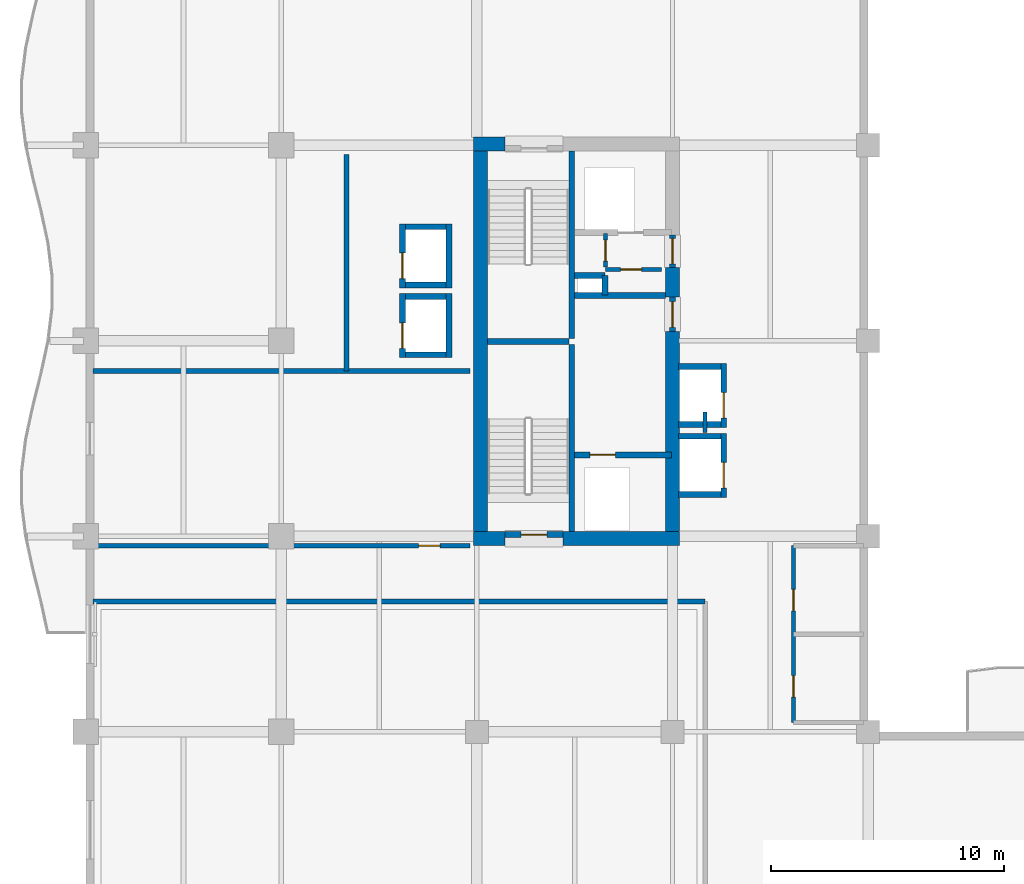
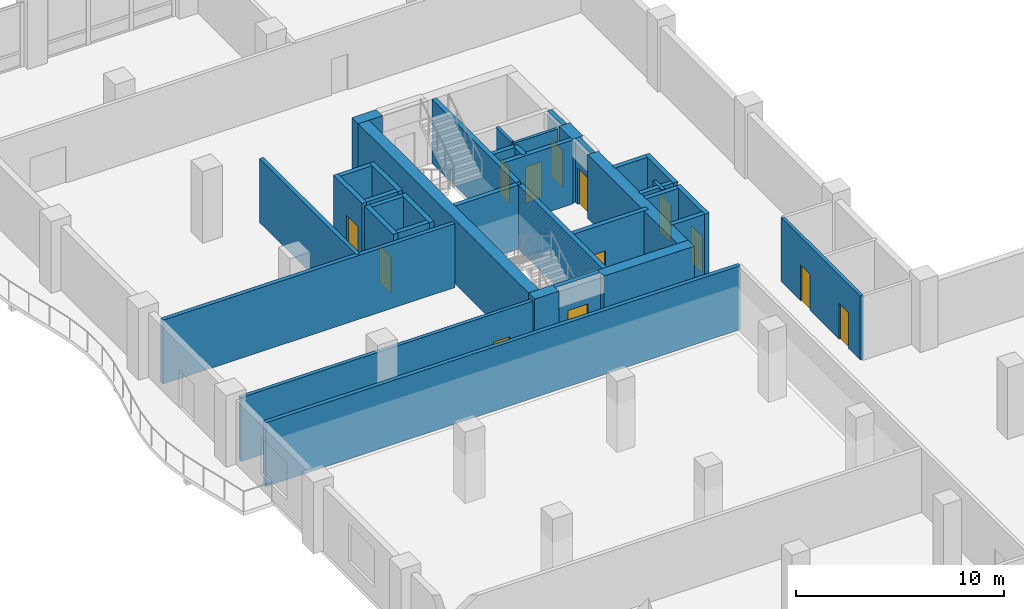
# One storey, part 13 of 21: 38 walls, 13 doors, 13 openings.
"""IFC4 building model written with IfcOpenShell, lengths in metres."""

import ifcopenshell
import ifcopenshell.guid

model = None  # the IFC model being written
_history = None  # IfcOwnerHistory: only IFC2X3 demands one
_inside = {}  # id of a spatial element -> (the spatial element, [elements in it])
_under = {}  # id of a project, library or spatial element -> (it, [spatial elements below it])
_declared = {}  # id of a project -> (the project, [libraries it declares])
_typed = {}  # id of a type object -> (the type object, [elements of that type])
_made_of = {}  # id of a material, layer set ... -> (it, [elements and type objects made of it])


def new_model(schema):
    """Start an empty IFC model of exactly this schema.

    Asked for "IFC4X3", IfcOpenShell would pick the latest addendum, in which some entities
    have other attributes; the version numbers below select the first issue.
    IFC2X3 requires an IfcOwnerHistory on every rooted entity: one is made here for all.
    """
    global model, _history
    if schema == "IFC4X3":
        model = ifcopenshell.file(schema_version=(4, 3, 0, 0))
    else:
        model = ifcopenshell.file(schema=schema)
    _inside.clear()
    _under.clear()
    _declared.clear()
    _typed.clear()
    _made_of.clear()
    _history = None
    if model.schema == "IFC2X3":
        org = make("IfcOrganization", Name="unknown")
        user = make(
            "IfcPersonAndOrganization",
            ThePerson=make("IfcPerson", FamilyName="unknown"),
            TheOrganization=org,
        )
        app = make(
            "IfcApplication",
            ApplicationDeveloper=org,
            Version="unknown",
            ApplicationFullName="unknown",
            ApplicationIdentifier="unknown",
        )
        _history = make(
            "IfcOwnerHistory",
            OwningUser=user,
            OwningApplication=app,
            ChangeAction="ADDED",
            CreationDate=0,
        )
    return model


def make(cls, **values):
    """One entity of the class cls with the attributes given. An attribute that is None is left unset."""
    return model.create_entity(
        cls, **{name: value for name, value in values.items() if value is not None}
    )


def rooted(cls, **values):
    """An entity with a GlobalId (a new one), such as an element, a storey or a relation."""
    return make(cls, GlobalId=ifcopenshell.guid.new(), OwnerHistory=_history, **values)


def si_unit(unit_type, name, prefix=None):
    """IfcSIUnit, for example si_unit("LENGTHUNIT", "METRE", prefix="MILLI")."""
    return make("IfcSIUnit", UnitType=unit_type, Prefix=prefix, Name=name)


def assignment(units):
    """IfcUnitAssignment: the units of a project."""
    return None if units is None else make("IfcUnitAssignment", Units=units)


def point(xyz):
    """IfcCartesianPoint."""
    return None if xyz is None else make("IfcCartesianPoint", Coordinates=xyz)


def direction(xyz):
    """IfcDirection."""
    return None if xyz is None else make("IfcDirection", DirectionRatios=xyz)


def frame(location, z_axis=None, x_axis=None):
    """IfcAxis2Placement3D, a coordinate frame: its origin and axes. An axis left out is left unset."""
    return make(
        "IfcAxis2Placement3D",
        Location=point(location),
        Axis=direction(z_axis),
        RefDirection=direction(x_axis),
    )


def frame_2d(location, x_axis=None):
    """IfcAxis2Placement2D, a coordinate frame in the plane: its origin and x axis."""
    return make(
        "IfcAxis2Placement2D", Location=point(location), RefDirection=direction(x_axis)
    )


def origin():
    """The frame at (0, 0, 0) with its axes left unset."""
    return frame((0.0, 0.0, 0.0))


def place(relative_to, where):
    """IfcLocalPlacement: puts the frame where relative to a parent placement (None: the world)."""
    return make(
        "IfcLocalPlacement", PlacementRelTo=relative_to, RelativePlacement=where
    )


def context(
    kind, dimensions, precision=None, world=None, true_north=None, identifier=None
):
    """IfcGeometricRepresentationContext, for example the 3D "Model" context."""
    return make(
        "IfcGeometricRepresentationContext",
        ContextIdentifier=identifier,
        ContextType=kind,
        CoordinateSpaceDimension=dimensions,
        Precision=precision,
        WorldCoordinateSystem=world,
        TrueNorth=true_north,
    )


def subcontext(parent, identifier, kind, view, scale=None):
    """IfcGeometricRepresentationSubContext, for example "Body" below "Model"."""
    return make(
        "IfcGeometricRepresentationSubContext",
        ContextIdentifier=identifier,
        ContextType=kind,
        ParentContext=parent,
        TargetScale=scale,
        TargetView=view,
    )


def project(units=None, contexts=None):
    """IfcProject with its units and contexts."""
    return rooted(
        "IfcProject",
        Name="project",
        RepresentationContexts=contexts,
        UnitsInContext=assignment(units),
    )


def spatial(cls, under=None, at=None, **own):
    """A site, building, storey or space (cls), placed at a placement, below another one or the project."""
    s = rooted(cls, ObjectPlacement=at, **own)
    if under is not None:
        _under.setdefault(under.id(), (under, []))[1].append(s)
    return s


def profile(cls, at=None, kind="AREA", **sizes):
    """A parametric profile (cls). Its sizes go by their IFC names, for example OverallWidth=200.0."""
    return make(cls, ProfileType=kind, Position=at, **sizes)


def rectangle(**sizes):
    """IfcRectangleProfileDef."""
    return profile("IfcRectangleProfileDef", **sizes)


def extrude(swept, where, along, depth):
    """IfcExtrudedAreaSolid: the profile swept, set in the frame where, extruded along a direction by depth."""
    return make(
        "IfcExtrudedAreaSolid",
        SweptArea=swept,
        Position=where,
        ExtrudedDirection=direction(along),
        Depth=depth,
    )


def shape(context_of_items, identifier, shape_type, items):
    """IfcShapeRepresentation: the items that make up one representation, for example the "Body"."""
    return make(
        "IfcShapeRepresentation",
        ContextOfItems=context_of_items,
        RepresentationIdentifier=identifier,
        RepresentationType=shape_type,
        Items=items,
    )


def material(Name=None, Category=None):
    """IfcMaterial."""
    return make("IfcMaterial", Name=Name, Category=Category)


def layer(
    of_material, thickness, ventilated=None, Name=None, Category=None, Priority=None
):
    """IfcMaterialLayer: one layer of a wall or slab, of a material (None: an air gap)."""
    return make(
        "IfcMaterialLayer",
        Material=of_material,
        LayerThickness=thickness,
        IsVentilated=ventilated,
        Name=Name,
        Category=Category,
        Priority=Priority,
    )


def layer_set(layers, Name=None):
    """IfcMaterialLayerSet."""
    return make("IfcMaterialLayerSet", MaterialLayers=layers, LayerSetName=Name)


def made_of(thing, what):
    """Note that an element or type object is made of a material, layer set ...; save() writes the relation."""
    if what is not None:
        _made_of.setdefault(what.id(), (what, []))[1].append(thing)
    return thing


def type_object(cls, material=None, **own):
    """A type object (cls), such as IfcWallType, which elements share."""
    return made_of(rooted(cls, **own), material)


def element(
    cls,
    number,
    at=None,
    inside=None,
    cuts=None,
    type_object=None,
    material=None,
    context=None,
    identifier="Body",
    shape_type=None,
    held_by="IfcProductDefinitionShape",
    body=None,
    shapes=None,
    **own,
):
    """One element of the class cls, such as IfcWall. Its Tag is "e" and its number.

    at: its placement. inside: the storey or other place that contains it. cuts: it is an
    opening in that element (IfcRelVoidsElement). A single representation is given by context,
    identifier, shape_type and body (its items); several are given by shapes. held_by: the class
    of the entity that holds the representations. save() writes the other relations.
    """
    e = rooted(cls, Tag="e%d" % number, ObjectPlacement=at, **own)
    if body is not None:
        shapes = [shape(context, identifier, shape_type, body)]
    if shapes is not None:
        e.Representation = make(held_by, Representations=shapes)
    if inside is not None:
        _inside.setdefault(inside.id(), (inside, []))[1].append(e)
    if cuts is not None:
        rooted(
            "IfcRelVoidsElement", RelatingBuildingElement=cuts, RelatedOpeningElement=e
        )
    if type_object is not None:
        _typed.setdefault(type_object.id(), (type_object, []))[1].append(e)
    return made_of(e, material)


def fill(opening, filler):
    """IfcRelFillsElement: the door or window that sits in an opening."""
    return rooted(
        "IfcRelFillsElement",
        RelatingOpeningElement=opening,
        RelatedBuildingElement=filler,
    )


def aggregate(whole, parts):
    """IfcRelAggregates: a whole, such as a stair, and the parts it consists of."""
    return rooted("IfcRelAggregates", RelatingObject=whole, RelatedObjects=parts)


def save(model, path):
    """Write the relations noted so far, then the file.

    IfcRelAggregates (storeys below a building ...), IfcRelContainedInSpatialStructure (elements
    in a storey), IfcRelDefinesByType, IfcRelAssociatesMaterial and IfcRelDeclares: one each for
    every whole, place, type object, material and project.
    """
    for whole, parts in _under.values():
        aggregate(whole, parts)
    for where, things in _inside.values():
        rooted(
            "IfcRelContainedInSpatialStructure",
            RelatedElements=things,
            RelatingStructure=where,
        )
    for kind, things in _typed.values():
        rooted("IfcRelDefinesByType", RelatedObjects=things, RelatingType=kind)
    for what, things in _made_of.values():
        rooted("IfcRelAssociatesMaterial", RelatedObjects=things, RelatingMaterial=what)
    for by, libraries in _declared.values():
        rooted("IfcRelDeclares", RelatingContext=by, RelatedDefinitions=libraries)
    model.write(path)


model = new_model("IFC4")

# Units and contexts
model_context = context("Model", 3, precision=1e-05, world=origin(), true_north=direction((0.0, 1.0)))
body_context = subcontext(model_context, "Body", "Model", "MODEL_VIEW")
ifc_project = project(units=[si_unit("LENGTHUNIT", "METRE"), si_unit("AREAUNIT", "SQUARE_METRE"), si_unit("VOLUMEUNIT", "CUBIC_METRE"), si_unit("PLANEANGLEUNIT", "RADIAN"), si_unit("MASSUNIT", "GRAM", prefix="KILO")], contexts=[model_context])

# Site, building, storey
site_placement = place(None, origin())
site = spatial("IfcSite", under=ifc_project, at=site_placement, CompositionType="ELEMENT")
building_placement = place(site_placement, origin())
building = spatial("IfcBuilding", under=site, at=building_placement, Name="Koriwani Terraces Tower", CompositionType="ELEMENT")
storey_placement = place(building_placement, frame((0.0, 0.0, 224.0)))
storey = spatial("IfcBuildingStorey", under=building, at=storey_placement, Name="L55", CompositionType="ELEMENT", Elevation=224.0)

# Walls
ifc_material_1 = material(Name="Concrete C60/75", Category="concrete")
ifc_layer_1 = layer(ifc_material_1, 0.60009765625, Name="Concrete C60/75")
ifc_layer_set_1 = layer_set([ifc_layer_1], Name="Concrete C60/75")
wall_type_1 = type_object("IfcWallType", Name="WALL_CORE_RC_600", PredefinedType="SHEAR", material=ifc_layer_set_1)
wall_1_placement = place(storey_placement, frame((16.64990234375, 41.89990234375, 0.0), z_axis=(0.0, 0.0, 1.0), x_axis=(1.0, 0.0, 0.0)))
element("IfcWall", 1, at=wall_1_placement, inside=storey, type_object=wall_type_1, Name="L55 West Split Core Shear Wall S1", PredefinedType="SHEAR", context=body_context, shape_type="SweptSolid", body=[
    extrude(rectangle(XDim=1.35009765625, YDim=0.60009765625, at=frame_2d((0.675048828125, 0.0))), origin(), (0.0, 0.0, 1.0), 3.75),
])
wall_2_placement = place(storey_placement, frame((20.5, 41.89990234375, 0.0), z_axis=(0.0, 0.0, 1.0), x_axis=(1.0, 0.0, 0.0)))
element("IfcWall", 2, at=wall_2_placement, inside=storey, type_object=wall_type_1, Name="L55 West Split Core Shear Wall S2", PredefinedType="SHEAR", context=body_context, shape_type="SweptSolid", body=[
    extrude(rectangle(XDim=5.0, YDim=0.60009765625, at=frame_2d((2.5, 0.0))), origin(), (0.0, 0.0, 1.0), 3.75),
])
wall_3_placement = place(storey_placement, frame((16.64990234375, 58.85009765625, 0.0), z_axis=(0.0, 0.0, 1.0), x_axis=(1.0, 0.0, 0.0)))
element("IfcWall", 3, at=wall_3_placement, inside=storey, type_object=wall_type_1, Name="L55 West Split Core Shear Wall N1", PredefinedType="SHEAR", context=body_context, shape_type="SweptSolid", body=[
    extrude(rectangle(XDim=1.35009765625, YDim=0.60009765625, at=frame_2d((0.675048828125, 0.0))), origin(), (0.0, 0.0, 1.0), 3.75),
])
wall_4_placement = place(storey_placement, frame((16.949951171875, 42.199951171875, 0.0), z_axis=(0.0, 0.0, 1.0), x_axis=(0.0, 1.0, 0.0)))
element("IfcWall", 4, at=wall_4_placement, inside=storey, type_object=wall_type_1, Name="L55 West Split Core Shear Wall W1", PredefinedType="SHEAR", context=body_context, shape_type="SweptSolid", body=[
    extrude(rectangle(XDim=16.35009765625, YDim=0.60009765625, at=frame_2d((8.175048828125, 0.0))), origin(), (0.0, 0.0, 1.0), 3.75),
])
wall_5_placement = place(storey_placement, frame((25.199951171875, 42.199951171875, 0.0), z_axis=(0.0, 0.0, 1.0), x_axis=(0.0, 1.0, 0.0)))
element("IfcWall", 5, at=wall_5_placement, inside=storey, type_object=wall_type_1, Name="L55 West Split Core Shear Wall E1", PredefinedType="SHEAR", context=body_context, shape_type="SweptSolid", body=[
    extrude(rectangle(XDim=8.60009765625, YDim=0.60009765625, at=frame_2d((4.300048828125, 0.0))), origin(), (0.0, 0.0, 1.0), 3.75),
])
wall_6_placement = place(storey_placement, frame((25.199951171875, 52.280029296875, 0.0), z_axis=(0.0, 0.0, 1.0), x_axis=(0.0, 1.0, 0.0)))
element("IfcWall", 6, at=wall_6_placement, inside=storey, type_object=wall_type_1, Name="L55 West Split Core Shear Wall E2", PredefinedType="SHEAR", context=body_context, shape_type="SweptSolid", body=[
    extrude(rectangle(XDim=1.27001953125, YDim=0.60009765625, at=frame_2d((0.635009765625, 0.0))), origin(), (0.0, 0.0, 1.0), 3.75),
])

# Wall, opening, door
ifc_material_2 = material(Name="Autoclaved Cellular Concrete Blockwork", Category="masonry")
ifc_layer_2 = layer(ifc_material_2, 0.199951171875, Name="Autoclaved Cellular Concrete Blockwork")
ifc_layer_set_2 = layer_set([ifc_layer_2], Name="Autoclaved Cellular Concrete Blockwork")
wall_type_2 = type_object("IfcWallType", Name="WALL_CORRIDOR_200", PredefinedType="PARTITIONING", material=ifc_layer_set_2)
wall_7_placement = place(storey_placement, frame((0.300048828125, 41.60009765625, 0.0), z_axis=(0.0, 0.0, 1.0), x_axis=(1.0, 0.0, 0.0)))
wall_7 = element("IfcWall", 7, at=wall_7_placement, inside=storey, type_object=wall_type_2, Name="L55 Interior Wall WSKY-RECW1-L55", PredefinedType="PARTITIONING", context=body_context, shape_type="SweptSolid", body=[
    extrude(rectangle(XDim=16.199951171875, YDim=0.199951171875, at=frame_2d((8.10009765625, 0.0))), origin(), (0.0, 0.0, 1.0), 3.75),
])
opening_1_placement = place(wall_7_placement, frame((14.0, 0.0, 0.0)))
opening_1 = element("IfcOpeningElement", 8, at=opening_1_placement, cuts=wall_7, Name="Opening D-06", PredefinedType="OPENING", context=body_context, shape_type="SweptSolid", body=[
    extrude(rectangle(XDim=0.919921875, YDim=2.10009765625, at=frame_2d((0.4599609375, 1.050048828125))), frame((0.0, 0.10986328125, 0.0), z_axis=(0.0, -1.0, 0.0), x_axis=(1.0, 0.0, 0.0)), (0.0, 0.0, 1.0), 0.219970703125),
])
ifc_material_3 = material(Name="Architectural Oak Fire Door", Category="wood")
door_type_1 = type_object("IfcDoorType", Name="DOOR_ROOM_INT_920X2100", OperationType="NOTDEFINED", PredefinedType="DOOR", material=ifc_material_3)
door_1_placement = place(opening_1_placement, origin())
door_1 = element("IfcDoor", 9, at=door_1_placement, inside=storey, type_object=door_type_1, Name="L55 Private Summit Boardroom Door", OperationType="SINGLE_SWING_LEFT", OverallHeight=2.10009765625, OverallWidth=0.919921875, PredefinedType="DOOR", context=body_context, shape_type="SweptSolid", body=[
    extrude(rectangle(XDim=0.919921875, YDim=2.10009765625, at=frame_2d((0.4599609375, 1.050048828125))), frame((0.0, 0.02490234375, 0.0), z_axis=(0.0, -1.0, 0.0), x_axis=(1.0, 0.0, 0.0)), (0.0, 0.0, 1.0), 0.050048828125),
])
fill(opening_1, door_1)

# Walls
ifc_layer_3 = layer(ifc_material_2, 0.219970703125, Name="Autoclaved Cellular Concrete Blockwork")
ifc_layer_set_3 = layer_set([ifc_layer_3], Name="Autoclaved Cellular Concrete Blockwork")
wall_type_3 = type_object("IfcWallType", Name="WALL_DEMISING_220", PredefinedType="PARTITIONING", material=ifc_layer_set_3)
wall_8_placement = place(storey_placement, frame((0.300048828125, 49.10009765625, 0.0), z_axis=(0.0, 0.0, 1.0), x_axis=(1.0, 0.0, 0.0)))
element("IfcWall", 10, at=wall_8_placement, inside=storey, type_object=wall_type_3, Name="L55 Interior Wall WSKY-RECW2-L55", PredefinedType="PARTITIONING", context=body_context, shape_type="SweptSolid", body=[
    extrude(rectangle(XDim=16.199951171875, YDim=0.219970703125, at=frame_2d((8.10009765625, 0.0))), origin(), (0.0, 0.0, 1.0), 3.75),
])
wall_9_placement = place(storey_placement, frame((11.199951171875, 49.10009765625, 0.0), z_axis=(0.0, 0.0, 1.0), x_axis=(0.0, 1.0, 0.0)))
element("IfcWall", 11, at=wall_9_placement, inside=storey, type_object=wall_type_3, Name="L55 Interior Wall WSKY-RECW3-L55", PredefinedType="PARTITIONING", context=body_context, shape_type="SweptSolid", body=[
    extrude(rectangle(XDim=9.2998046875, YDim=0.219970703125, at=frame_2d((4.64990234375, 0.0))), origin(), (0.0, 0.0, 1.0), 3.75),
])
wall_10_placement = place(storey_placement, frame((0.300048828125, 39.199951171875, 0.0), z_axis=(0.0, 0.0, 1.0), x_axis=(1.0, 0.0, 0.0)))
element("IfcWall", 12, at=wall_10_placement, inside=storey, type_object=wall_type_3, Name="L55 Interior Wall WSKY-WMN-L55", PredefinedType="PARTITIONING", context=body_context, shape_type="SweptSolid", body=[
    extrude(rectangle(XDim=26.300048828125, YDim=0.219970703125, at=frame_2d((13.14990234375, 0.0))), origin(), (0.0, 0.0, 1.0), 3.75),
])

# Wall, openings, doors
ifc_material_4 = material(Name="Fire-Rated Acoustic Gypsum Partition", Category="masonry")
ifc_layer_4 = layer(ifc_material_4, 0.179931640625, Name="Fire-Rated Acoustic Gypsum Partition")
ifc_layer_set_4 = layer_set([ifc_layer_4], Name="Fire-Rated Acoustic Gypsum Partition")
wall_type_4 = type_object("IfcWallType", Name="WALL_PLUMBING_180", PredefinedType="PLUMBINGWALL", material=ifc_layer_set_4)
wall_11_placement = place(storey_placement, frame((30.39990234375, 34.0, 0.0), z_axis=(0.0, 0.0, 1.0), x_axis=(0.0, 1.0, 0.0)))
wall_11 = element("IfcWall", 13, at=wall_11_placement, inside=storey, type_object=wall_type_4, Name="L55 Interior Wall WSKY-WC-L55", PredefinedType="PLUMBINGWALL", context=body_context, shape_type="SweptSolid", body=[
    extrude(rectangle(XDim=7.60009765625, YDim=0.179931640625, at=frame_2d((3.800048828125, 0.0))), origin(), (0.0, 0.0, 1.0), 3.75),
])
opening_2_placement = place(wall_11_placement, frame((1.10009765625, 0.0, 0.0)))
opening_2 = element("IfcOpeningElement", 14, at=opening_2_placement, cuts=wall_11, Name="Opening D-06", PredefinedType="OPENING", context=body_context, shape_type="SweptSolid", body=[
    extrude(rectangle(XDim=0.919921875, YDim=2.10009765625, at=frame_2d((0.4599609375, 1.050048828125))), frame((0.0, 0.10009765625, 0.0), z_axis=(0.0, -1.0, 0.0), x_axis=(1.0, 0.0, 0.0)), (0.0, 0.0, 1.0), 0.199951171875),
])
opening_3_placement = place(wall_11_placement, frame((4.800048828125, 0.0, 0.0)))
opening_3 = element("IfcOpeningElement", 15, at=opening_3_placement, cuts=wall_11, Name="Opening D-06", PredefinedType="OPENING", context=body_context, shape_type="SweptSolid", body=[
    extrude(rectangle(XDim=0.919921875, YDim=2.10009765625, at=frame_2d((0.4599609375, 1.050048828125))), frame((0.0, 0.10009765625, 0.0), z_axis=(0.0, -1.0, 0.0), x_axis=(1.0, 0.0, 0.0)), (0.0, 0.0, 1.0), 0.199951171875),
])
door_2_placement = place(opening_2_placement, origin())
door_2 = element("IfcDoor", 16, at=door_2_placement, inside=storey, type_object=door_type_1, Name="L55 Sky Lobby Restroom WC Door", OperationType="SINGLE_SWING_LEFT", OverallHeight=2.10009765625, OverallWidth=0.919921875, PredefinedType="DOOR", context=body_context, shape_type="SweptSolid", body=[
    extrude(rectangle(XDim=0.919921875, YDim=2.10009765625, at=frame_2d((0.4599609375, 1.050048828125))), frame((0.0, 0.02490234375, 0.0), z_axis=(0.0, -1.0, 0.0), x_axis=(1.0, 0.0, 0.0)), (0.0, 0.0, 1.0), 0.050048828125),
])
fill(opening_2, door_2)
door_3_placement = place(opening_3_placement, origin())
door_3 = element("IfcDoor", 17, at=door_3_placement, inside=storey, type_object=door_type_1, Name="L55 Sky Lobby Accessible WC Door", OperationType="SINGLE_SWING_RIGHT", OverallHeight=2.10009765625, OverallWidth=0.919921875, PredefinedType="DOOR", context=body_context, shape_type="SweptSolid", body=[
    extrude(rectangle(XDim=0.919921875, YDim=2.10009765625, at=frame_2d((0.4599609375, 1.050048828125))), frame((0.0, 0.02490234375, 0.0), z_axis=(0.0, -1.0, 0.0), x_axis=(1.0, 0.0, 0.0)), (0.0, 0.0, 1.0), 0.050048828125),
])
fill(opening_3, door_3)

# Walls
ifc_material_5 = material(Name="Concrete C40/50", Category="concrete")
ifc_layer_5 = layer(ifc_material_5, 0.25, Name="Concrete C40/50")
ifc_layer_set_5 = layer_set([ifc_layer_5], Name="Concrete C40/50")
wall_type_5 = type_object("IfcWallType", Name="WALL_SHAFT_RATED_250", PredefinedType="SOLIDWALL", material=ifc_layer_set_5)
for number, where, z_axis, x_axis, name in (
    (18, (20.875, 42.199951171875, 0.0), (0.0, 0.0, 1.0), (0.0, 1.0, 0.0), "L55 West Split Core Web Wall MID1"),
    (19, (20.875, 50.5, 0.0), (0.0, 0.0, 1.0), (0.0, 1.0, 0.0), "L55 West Split Core Web Wall MID2"),
):
    element("IfcWall", number, at=place(storey_placement, frame(where, z_axis=z_axis, x_axis=x_axis)), inside=storey, type_object=wall_type_5, Name=name, PredefinedType="SOLIDWALL", context=body_context, shape_type="SweptSolid", body=[
        extrude(rectangle(XDim=8.050048828125, YDim=0.25, at=frame_2d((4.02490234375, 0.0))), origin(), (0.0, 0.0, 1.0), 3.75),
    ])
wall_12_placement = place(storey_placement, frame((17.25, 50.375, 0.0), z_axis=(0.0, 0.0, 1.0), x_axis=(1.0, 0.0, 0.0)))
element("IfcWall", 20, at=wall_12_placement, inside=storey, type_object=wall_type_5, Name="L55 West Split Core Stair Dividing Wall", PredefinedType="SOLIDWALL", context=body_context, shape_type="SweptSolid", body=[
    extrude(rectangle(XDim=3.5, YDim=0.25, at=frame_2d((1.75, 0.0))), origin(), (0.0, 0.0, 1.0), 3.75),
])

# Wall, opening, door
wall_13_placement = place(storey_placement, frame((18.0, 42.074951171875, 0.0), z_axis=(0.0, 0.0, 1.0), x_axis=(1.0, 0.0, 0.0)))
wall_13 = element("IfcWall", 21, at=wall_13_placement, inside=storey, type_object=wall_type_5, Name="L55 Interior Wall WIN-CW-L55-STS", PredefinedType="SOLIDWALL", context=body_context, shape_type="SweptSolid", body=[
    extrude(rectangle(XDim=2.5, YDim=0.25, at=frame_2d((1.25, 0.0))), origin(), (0.0, 0.0, 1.0), 3.75),
])
opening_4_placement = place(wall_13_placement, frame((0.699951171875, 0.0, 0.0)))
opening_4 = element("IfcOpeningElement", 22, at=opening_4_placement, cuts=wall_13, Name="Opening D-03", PredefinedType="OPENING", context=body_context, shape_type="SweptSolid", body=[
    extrude(rectangle(XDim=1.10009765625, YDim=2.14990234375, at=frame_2d((0.550048828125, 1.074951171875))), frame((0.0, 0.135009765625, 0.0), z_axis=(0.0, -1.0, 0.0), x_axis=(1.0, 0.0, 0.0)), (0.0, 0.0, 1.0), 0.27001953125),
])
ifc_material_6 = material(Name="Steel ASTM A572 Grade 50", Category="steel")
door_type_2 = type_object("IfcDoorType", Name="DOOR_STAIR_FIRE_1100X2150", OperationType="NOTDEFINED", PredefinedType="DOOR", material=ifc_material_6)
door_4_placement = place(opening_4_placement, origin())
door_4 = element("IfcDoor", 23, at=door_4_placement, inside=storey, type_object=door_type_2, Name="L55 Exit Stair ST-W1 Door", OperationType="SINGLE_SWING_LEFT", OverallHeight=2.14990234375, OverallWidth=1.10009765625, PredefinedType="DOOR", context=body_context, shape_type="SweptSolid", body=[
    extrude(rectangle(XDim=1.10009765625, YDim=2.14990234375, at=frame_2d((0.550048828125, 1.074951171875))), frame((0.0, 0.02490234375, 0.0), z_axis=(0.0, -1.0, 0.0), x_axis=(1.0, 0.0, 0.0)), (0.0, 0.0, 1.0), 0.050048828125),
])
fill(opening_4, door_4)

wall_14_placement = place(storey_placement, frame((21.0, 45.5, 0.0), z_axis=(0.0, 0.0, 1.0), x_axis=(1.0, 0.0, 0.0)))
wall_14 = element("IfcWall", 24, at=wall_14_placement, inside=storey, type_object=wall_type_5, Name="L55 Interior Wall WIN-CW-L55-FE", PredefinedType="SOLIDWALL", context=body_context, shape_type="SweptSolid", body=[
    extrude(rectangle(XDim=4.14990234375, YDim=0.25, at=frame_2d((2.074951171875, 0.0))), origin(), (0.0, 0.0, 1.0), 3.75),
])
opening_5_placement = place(wall_14_placement, frame((0.64990234375, 0.0, 0.0)))
opening_5 = element("IfcOpeningElement", 25, at=opening_5_placement, cuts=wall_14, Name="Opening LD-01", PredefinedType="OPENING", context=body_context, shape_type="SweptSolid", body=[
    extrude(rectangle(XDim=1.10009765625, YDim=2.14990234375, at=frame_2d((0.550048828125, 1.074951171875))), frame((0.0, 0.135009765625, 0.0), z_axis=(0.0, -1.0, 0.0), x_axis=(1.0, 0.0, 0.0)), (0.0, 0.0, 1.0), 0.27001953125),
])
door_type_3 = type_object("IfcDoorType", Name="DOOR_LIFT_LANDING_1100X2200", OperationType="NOTDEFINED", PredefinedType="DOOR", material=ifc_material_6)
door_5_placement = place(opening_5_placement, origin())
door_5 = element("IfcDoor", 26, at=door_5_placement, inside=storey, type_object=door_type_3, Name="L55 Firefighting Lift FE-01 Landing Door", OperationType="SLIDING_TO_LEFT", OverallHeight=2.14990234375, OverallWidth=1.10009765625, PredefinedType="DOOR", context=body_context, shape_type="SweptSolid", body=[
    extrude(rectangle(XDim=1.10009765625, YDim=2.14990234375, at=frame_2d((0.550048828125, 1.074951171875))), frame((0.0, 0.02490234375, 0.0), z_axis=(0.0, -1.0, 0.0), x_axis=(1.0, 0.0, 0.0)), (0.0, 0.0, 1.0), 0.050048828125),
])
fill(opening_5, door_5)

wall_15_placement = place(storey_placement, frame((25.199951171875, 50.800048828125, 0.0), z_axis=(0.0, 0.0, 1.0), x_axis=(0.0, 1.0, 0.0)))
wall_15 = element("IfcWall", 27, at=wall_15_placement, inside=storey, type_object=wall_type_5, Name="L55 Interior Wall WIN-CW-L55-EP", PredefinedType="SOLIDWALL", context=body_context, shape_type="SweptSolid", body=[
    extrude(rectangle(XDim=1.47998046875, YDim=0.25, at=frame_2d((0.739990234375, 0.0))), origin(), (0.0, 0.0, 1.0), 3.75),
])
opening_6_placement = place(wall_15_placement, frame((0.179931640625, 0.0, 0.0)))
opening_6 = element("IfcOpeningElement", 28, at=opening_6_placement, cuts=wall_15, Name="Opening D-03", PredefinedType="OPENING", context=body_context, shape_type="SweptSolid", body=[
    extrude(rectangle(XDim=1.10009765625, YDim=2.14990234375, at=frame_2d((0.550048828125, 1.074951171875))), frame((0.0, 0.135009765625, 0.0), z_axis=(0.0, -1.0, 0.0), x_axis=(1.0, 0.0, 0.0)), (0.0, 0.0, 1.0), 0.27001953125),
])
door_6_placement = place(opening_6_placement, origin())
door_6 = element("IfcDoor", 29, at=door_6_placement, inside=storey, type_object=door_type_2, Name="L55 West Firefighting Lobby Door", OperationType="SINGLE_SWING_LEFT", OverallHeight=2.14990234375, OverallWidth=1.10009765625, PredefinedType="DOOR", context=body_context, shape_type="SweptSolid", body=[
    extrude(rectangle(XDim=1.10009765625, YDim=2.14990234375, at=frame_2d((0.550048828125, 1.074951171875))), frame((0.0, 0.02490234375, 0.0), z_axis=(0.0, -1.0, 0.0), x_axis=(1.0, 0.0, 0.0)), (0.0, 0.0, 1.0), 0.050048828125),
])
fill(opening_6, door_6)

# Wall
wall_16_placement = place(storey_placement, frame((21.0, 52.340087890625, 0.0), z_axis=(0.0, 0.0, 1.0), x_axis=(1.0, 0.0, 0.0)))
element("IfcWall", 30, at=wall_16_placement, inside=storey, type_object=wall_type_5, Name="L55 Interior Wall WIN-CW-L55-FFN", PredefinedType="SOLIDWALL", context=body_context, shape_type="SweptSolid", body=[
    extrude(rectangle(XDim=3.89990234375, YDim=0.25, at=frame_2d((1.949951171875, 0.0))), origin(), (0.0, 0.0, 1.0), 3.75),
])

# Wall, opening, door
wall_17_placement = place(storey_placement, frame((25.199951171875, 53.550048828125, 0.0), z_axis=(0.0, 0.0, 1.0), x_axis=(0.0, 1.0, 0.0)))
wall_17 = element("IfcWall", 31, at=wall_17_placement, inside=storey, type_object=wall_type_5, Name="L55 Interior Wall WIN-CW-L55-EP2", PredefinedType="SOLIDWALL", context=body_context, shape_type="SweptSolid", body=[
    extrude(rectangle(XDim=1.39990234375, YDim=0.25, at=frame_2d((0.699951171875, 0.0))), origin(), (0.0, 0.0, 1.0), 3.75),
])
opening_7_placement = place(wall_17_placement, frame((0.14990234375, 0.0, 0.0)))
opening_7 = element("IfcOpeningElement", 32, at=opening_7_placement, cuts=wall_17, Name="Opening D-03", PredefinedType="OPENING", context=body_context, shape_type="SweptSolid", body=[
    extrude(rectangle(XDim=1.10009765625, YDim=2.14990234375, at=frame_2d((0.550048828125, 1.074951171875))), frame((0.0, 0.135009765625, 0.0), z_axis=(0.0, -1.0, 0.0), x_axis=(1.0, 0.0, 0.0)), (0.0, 0.0, 1.0), 0.27001953125),
])
door_7_placement = place(opening_7_placement, origin())
door_7 = element("IfcDoor", 33, at=door_7_placement, inside=storey, type_object=door_type_2, Name="L55 West Goods Lift Lobby Door", OperationType="SINGLE_SWING_RIGHT", OverallHeight=2.14990234375, OverallWidth=1.10009765625, PredefinedType="DOOR", context=body_context, shape_type="SweptSolid", body=[
    extrude(rectangle(XDim=1.10009765625, YDim=2.14990234375, at=frame_2d((0.550048828125, 1.074951171875))), frame((0.0, 0.02490234375, 0.0), z_axis=(0.0, -1.0, 0.0), x_axis=(1.0, 0.0, 0.0)), (0.0, 0.0, 1.0), 0.050048828125),
])
fill(opening_7, door_7)

# Walls
wall_18_placement = place(storey_placement, frame((21.0, 53.199951171875, 0.0), z_axis=(0.0, 0.0, 1.0), x_axis=(1.0, 0.0, 0.0)))
element("IfcWall", 34, at=wall_18_placement, inside=storey, type_object=wall_type_5, Name="L55 Interior Wall WIN-CW-L55-RS1", PredefinedType="SOLIDWALL", context=body_context, shape_type="SweptSolid", body=[
    extrude(rectangle(XDim=1.300048828125, YDim=0.25, at=frame_2d((0.64990234375, 0.0))), origin(), (0.0, 0.0, 1.0), 3.75),
])
wall_19_placement = place(storey_placement, frame((22.300048828125, 52.360107421875, 0.0), z_axis=(0.0, 0.0, 1.0), x_axis=(0.0, 1.0, 0.0)))
element("IfcWall", 35, at=wall_19_placement, inside=storey, type_object=wall_type_5, Name="L55 Interior Wall WIN-CW-L55-RS2", PredefinedType="SOLIDWALL", context=body_context, shape_type="SweptSolid", body=[
    extrude(rectangle(XDim=0.83984375, YDim=0.25, at=frame_2d((0.419921875, 0.0))), origin(), (0.0, 0.0, 1.0), 3.75),
])

# Wall, opening, door
wall_20_placement = place(storey_placement, frame((13.60009765625, 49.675048828125, 0.0), z_axis=(0.0, 0.0, 1.0), x_axis=(0.0, 1.0, 0.0)))
wall_20 = element("IfcWall", 36, at=wall_20_placement, inside=storey, type_object=wall_type_5, Name="L55 Interior Wall WIN-LF-PE-M1-L55-F", PredefinedType="SOLIDWALL", context=body_context, shape_type="SweptSolid", body=[
    extrude(rectangle(XDim=2.75, YDim=0.25, at=frame_2d((1.375, 0.0))), origin(), (0.0, 0.0, 1.0), 3.75),
])
opening_8_placement = place(wall_20_placement, frame((0.39990234375, 0.0, 0.0)))
opening_8 = element("IfcOpeningElement", 37, at=opening_8_placement, cuts=wall_20, Name="Opening LD-01", PredefinedType="OPENING", context=body_context, shape_type="SweptSolid", body=[
    extrude(rectangle(XDim=1.10009765625, YDim=2.14990234375, at=frame_2d((0.550048828125, 1.074951171875))), frame((0.0, 0.135009765625, 0.0), z_axis=(0.0, -1.0, 0.0), x_axis=(1.0, 0.0, 0.0)), (0.0, 0.0, 1.0), 0.27001953125),
])
door_8_placement = place(opening_8_placement, origin())
door_8 = element("IfcDoor", 38, at=door_8_placement, inside=storey, type_object=door_type_3, Name="L55 Passenger Lift PE-M1 Landing Door", OperationType="SLIDING_TO_LEFT", OverallHeight=2.14990234375, OverallWidth=1.10009765625, PredefinedType="DOOR", context=body_context, shape_type="SweptSolid", body=[
    extrude(rectangle(XDim=1.10009765625, YDim=2.14990234375, at=frame_2d((0.550048828125, 1.074951171875))), frame((0.0, 0.02490234375, 0.0), z_axis=(0.0, -1.0, 0.0), x_axis=(1.0, 0.0, 0.0)), (0.0, 0.0, 1.0), 0.050048828125),
])
fill(opening_8, door_8)

# Walls
wall_21_placement = place(storey_placement, frame((15.60009765625, 49.675048828125, 0.0), z_axis=(0.0, 0.0, 1.0), x_axis=(0.0, 1.0, 0.0)))
element("IfcWall", 39, at=wall_21_placement, inside=storey, type_object=wall_type_5, Name="L55 Interior Wall WIN-LF-PE-M1-L55-B", PredefinedType="SOLIDWALL", context=body_context, shape_type="SweptSolid", body=[
    extrude(rectangle(XDim=2.75, YDim=0.25, at=frame_2d((1.375, 0.0))), origin(), (0.0, 0.0, 1.0), 3.75),
])
for number, where, z_axis, x_axis, name in (
    (40, (13.72509765625, 49.800048828125, 0.0), (0.0, 0.0, 1.0), (1.0, 0.0, 0.0), "L55 Interior Wall WIN-LF-PE-M1-L55-S"),
    (41, (13.72509765625, 52.300048828125, 0.0), (0.0, 0.0, 1.0), (1.0, 0.0, 0.0), "L55 Interior Wall WIN-LF-PE-M1-L55-N"),
):
    element("IfcWall", number, at=place(storey_placement, frame(where, z_axis=z_axis, x_axis=x_axis)), inside=storey, type_object=wall_type_5, Name=name, PredefinedType="SOLIDWALL", context=body_context, shape_type="SweptSolid", body=[
        extrude(rectangle(XDim=1.75, YDim=0.25, at=frame_2d((0.875, 0.0))), origin(), (0.0, 0.0, 1.0), 3.75),
    ])

# Wall, opening, door
wall_22_placement = place(storey_placement, frame((13.60009765625, 52.675048828125, 0.0), z_axis=(0.0, 0.0, 1.0), x_axis=(0.0, 1.0, 0.0)))
wall_22 = element("IfcWall", 42, at=wall_22_placement, inside=storey, type_object=wall_type_5, Name="L55 Interior Wall WIN-LF-PE-M2-L55-F", PredefinedType="SOLIDWALL", context=body_context, shape_type="SweptSolid", body=[
    extrude(rectangle(XDim=2.75, YDim=0.25, at=frame_2d((1.375, 0.0))), origin(), (0.0, 0.0, 1.0), 3.75),
])
opening_9_placement = place(wall_22_placement, frame((0.39990234375, 0.0, 0.0)))
opening_9 = element("IfcOpeningElement", 43, at=opening_9_placement, cuts=wall_22, Name="Opening LD-01", PredefinedType="OPENING", context=body_context, shape_type="SweptSolid", body=[
    extrude(rectangle(XDim=1.10009765625, YDim=2.14990234375, at=frame_2d((0.550048828125, 1.074951171875))), frame((0.0, 0.135009765625, 0.0), z_axis=(0.0, -1.0, 0.0), x_axis=(1.0, 0.0, 0.0)), (0.0, 0.0, 1.0), 0.27001953125),
])
door_9_placement = place(opening_9_placement, origin())
door_9 = element("IfcDoor", 44, at=door_9_placement, inside=storey, type_object=door_type_3, Name="L55 Passenger Lift PE-M2 Landing Door", OperationType="SLIDING_TO_LEFT", OverallHeight=2.14990234375, OverallWidth=1.10009765625, PredefinedType="DOOR", context=body_context, shape_type="SweptSolid", body=[
    extrude(rectangle(XDim=1.10009765625, YDim=2.14990234375, at=frame_2d((0.550048828125, 1.074951171875))), frame((0.0, 0.02490234375, 0.0), z_axis=(0.0, -1.0, 0.0), x_axis=(1.0, 0.0, 0.0)), (0.0, 0.0, 1.0), 0.050048828125),
])
fill(opening_9, door_9)

# Walls
wall_23_placement = place(storey_placement, frame((15.60009765625, 52.675048828125, 0.0), z_axis=(0.0, 0.0, 1.0), x_axis=(0.0, 1.0, 0.0)))
element("IfcWall", 45, at=wall_23_placement, inside=storey, type_object=wall_type_5, Name="L55 Interior Wall WIN-LF-PE-M2-L55-B", PredefinedType="SOLIDWALL", context=body_context, shape_type="SweptSolid", body=[
    extrude(rectangle(XDim=2.75, YDim=0.25, at=frame_2d((1.375, 0.0))), origin(), (0.0, 0.0, 1.0), 3.75),
])
for number, where, z_axis, x_axis, name in (
    (46, (13.72509765625, 52.800048828125, 0.0), (0.0, 0.0, 1.0), (1.0, 0.0, 0.0), "L55 Interior Wall WIN-LF-PE-M2-L55-S"),
    (47, (13.72509765625, 55.300048828125, 0.0), (0.0, 0.0, 1.0), (1.0, 0.0, 0.0), "L55 Interior Wall WIN-LF-PE-M2-L55-N"),
):
    element("IfcWall", number, at=place(storey_placement, frame(where, z_axis=z_axis, x_axis=x_axis)), inside=storey, type_object=wall_type_5, Name=name, PredefinedType="SOLIDWALL", context=body_context, shape_type="SweptSolid", body=[
        extrude(rectangle(XDim=1.75, YDim=0.25, at=frame_2d((0.875, 0.0))), origin(), (0.0, 0.0, 1.0), 3.75),
    ])

# Wall, opening, door
wall_24_placement = place(storey_placement, frame((27.39990234375, 43.675048828125, 0.0), z_axis=(0.0, 0.0, 1.0), x_axis=(0.0, 1.0, 0.0)))
wall_24 = element("IfcWall", 48, at=wall_24_placement, inside=storey, type_object=wall_type_5, Name="L55 Interior Wall WIN-LF-PE-H1-L55-F", PredefinedType="SOLIDWALL", context=body_context, shape_type="SweptSolid", body=[
    extrude(rectangle(XDim=2.75, YDim=0.25, at=frame_2d((1.375, 0.0))), origin(), (0.0, 0.0, 1.0), 3.75),
])
opening_10_placement = place(wall_24_placement, frame((0.39990234375, 0.0, 0.0)))
opening_10 = element("IfcOpeningElement", 49, at=opening_10_placement, cuts=wall_24, Name="Opening LD-01", PredefinedType="OPENING", context=body_context, shape_type="SweptSolid", body=[
    extrude(rectangle(XDim=1.10009765625, YDim=2.14990234375, at=frame_2d((0.550048828125, 1.074951171875))), frame((0.0, 0.135009765625, 0.0), z_axis=(0.0, -1.0, 0.0), x_axis=(1.0, 0.0, 0.0)), (0.0, 0.0, 1.0), 0.27001953125),
])
door_10_placement = place(opening_10_placement, origin())
door_10 = element("IfcDoor", 50, at=door_10_placement, inside=storey, type_object=door_type_3, Name="L55 Passenger Lift PE-H1 Landing Door", OperationType="SLIDING_TO_LEFT", OverallHeight=2.14990234375, OverallWidth=1.10009765625, PredefinedType="DOOR", context=body_context, shape_type="SweptSolid", body=[
    extrude(rectangle(XDim=1.10009765625, YDim=2.14990234375, at=frame_2d((0.550048828125, 1.074951171875))), frame((0.0, 0.02490234375, 0.0), z_axis=(0.0, -1.0, 0.0), x_axis=(1.0, 0.0, 0.0)), (0.0, 0.0, 1.0), 0.050048828125),
])
fill(opening_10, door_10)

# Walls
for number, where, z_axis, x_axis, name in (
    (51, (25.449951171875, 43.800048828125, 0.0), (0.0, 0.0, 1.0), (1.0, 0.0, 0.0), "L55 Interior Wall WIN-LF-PE-H1-L55-S"),
    (52, (25.449951171875, 46.300048828125, 0.0), (0.0, 0.0, 1.0), (1.0, 0.0, 0.0), "L55 Interior Wall WIN-LF-PE-H1-L55-N"),
):
    element("IfcWall", number, at=place(storey_placement, frame(where, z_axis=z_axis, x_axis=x_axis)), inside=storey, type_object=wall_type_5, Name=name, PredefinedType="SOLIDWALL", context=body_context, shape_type="SweptSolid", body=[
        extrude(rectangle(XDim=1.824951171875, YDim=0.25, at=frame_2d((0.91259765625, 0.0))), origin(), (0.0, 0.0, 1.0), 3.75),
    ])

# Wall, opening, door
wall_25_placement = place(storey_placement, frame((27.39990234375, 46.675048828125, 0.0), z_axis=(0.0, 0.0, 1.0), x_axis=(0.0, 1.0, 0.0)))
wall_25 = element("IfcWall", 53, at=wall_25_placement, inside=storey, type_object=wall_type_5, Name="L55 Interior Wall WIN-LF-PE-H2-L55-F", PredefinedType="SOLIDWALL", context=body_context, shape_type="SweptSolid", body=[
    extrude(rectangle(XDim=2.75, YDim=0.25, at=frame_2d((1.375, 0.0))), origin(), (0.0, 0.0, 1.0), 3.75),
])
opening_11_placement = place(wall_25_placement, frame((0.39990234375, 0.0, 0.0)))
opening_11 = element("IfcOpeningElement", 54, at=opening_11_placement, cuts=wall_25, Name="Opening LD-01", PredefinedType="OPENING", context=body_context, shape_type="SweptSolid", body=[
    extrude(rectangle(XDim=1.10009765625, YDim=2.14990234375, at=frame_2d((0.550048828125, 1.074951171875))), frame((0.0, 0.135009765625, 0.0), z_axis=(0.0, -1.0, 0.0), x_axis=(1.0, 0.0, 0.0)), (0.0, 0.0, 1.0), 0.27001953125),
])
door_11_placement = place(opening_11_placement, origin())
door_11 = element("IfcDoor", 55, at=door_11_placement, inside=storey, type_object=door_type_3, Name="L55 Passenger Lift PE-H2 Landing Door", OperationType="SLIDING_TO_LEFT", OverallHeight=2.14990234375, OverallWidth=1.10009765625, PredefinedType="DOOR", context=body_context, shape_type="SweptSolid", body=[
    extrude(rectangle(XDim=1.10009765625, YDim=2.14990234375, at=frame_2d((0.550048828125, 1.074951171875))), frame((0.0, 0.02490234375, 0.0), z_axis=(0.0, -1.0, 0.0), x_axis=(1.0, 0.0, 0.0)), (0.0, 0.0, 1.0), 0.050048828125),
])
fill(opening_11, door_11)

# Walls
for number, where, z_axis, x_axis, name in (
    (56, (25.449951171875, 46.800048828125, 0.0), (0.0, 0.0, 1.0), (1.0, 0.0, 0.0), "L55 Interior Wall WIN-LF-PE-H2-L55-S"),
    (57, (25.449951171875, 49.300048828125, 0.0), (0.0, 0.0, 1.0), (1.0, 0.0, 0.0), "L55 Interior Wall WIN-LF-PE-H2-L55-N"),
):
    element("IfcWall", number, at=place(storey_placement, frame(where, z_axis=z_axis, x_axis=x_axis)), inside=storey, type_object=wall_type_5, Name=name, PredefinedType="SOLIDWALL", context=body_context, shape_type="SweptSolid", body=[
        extrude(rectangle(XDim=1.824951171875, YDim=0.25, at=frame_2d((0.91259765625, 0.0))), origin(), (0.0, 0.0, 1.0), 3.75),
    ])

# Wall, opening, door
ifc_layer_6 = layer(ifc_material_4, 0.159912109375, Name="Fire-Rated Acoustic Gypsum Partition")
ifc_layer_set_6 = layer_set([ifc_layer_6], Name="Fire-Rated Acoustic Gypsum Partition")
wall_type_6 = type_object("IfcWallType", Name="WALL_SUITE_160", PredefinedType="PARTITIONING", material=ifc_layer_set_6)
wall_26_placement = place(storey_placement, frame((22.320068359375, 53.56005859375, 0.0), z_axis=(0.0, 0.0, 1.0), x_axis=(0.0, 1.0, 0.0)))
wall_26 = element("IfcWall", 58, at=wall_26_placement, inside=storey, type_object=wall_type_6, Name="L55 Interior Wall WIN-CW-L55-SV1A", PredefinedType="PARTITIONING", context=body_context, shape_type="SweptSolid", body=[
    extrude(rectangle(XDim=1.43994140625, YDim=0.159912109375, at=frame_2d((0.719970703125, 0.0))), origin(), (0.0, 0.0, 1.0), 3.75),
])
opening_12_placement = place(wall_26_placement, frame((0.260009765625, 0.0, 0.0)))
opening_12 = element("IfcOpeningElement", 59, at=opening_12_placement, cuts=wall_26, Name="Opening D-07", PredefinedType="OPENING", context=body_context, shape_type="SweptSolid", body=[
    extrude(rectangle(XDim=0.89990234375, YDim=2.10009765625, at=frame_2d((0.449951171875, 1.050048828125))), frame((0.0, 0.08984375, 0.0), z_axis=(0.0, -1.0, 0.0), x_axis=(1.0, 0.0, 0.0)), (0.0, 0.0, 1.0), 0.179931640625),
])
door_type_4 = type_object("IfcDoorType", Name="DOOR_BATH_INT_900X2100", OperationType="NOTDEFINED", PredefinedType="DOOR", material=ifc_material_3)
door_12_placement = place(opening_12_placement, origin())
door_12 = element("IfcDoor", 60, at=door_12_placement, inside=storey, type_object=door_type_4, Name="L55 West Telecom Room Door", OperationType="SINGLE_SWING_LEFT", OverallHeight=2.10009765625, OverallWidth=0.89990234375, PredefinedType="DOOR", context=body_context, shape_type="SweptSolid", body=[
    extrude(rectangle(XDim=0.89990234375, YDim=2.10009765625, at=frame_2d((0.449951171875, 1.050048828125))), frame((0.0, 0.02490234375, 0.0), z_axis=(0.0, -1.0, 0.0), x_axis=(1.0, 0.0, 0.0)), (0.0, 0.0, 1.0), 0.050048828125),
])
fill(opening_12, door_12)

wall_27_placement = place(storey_placement, frame((22.320068359375, 53.4599609375, 0.0), z_axis=(0.0, 0.0, 1.0), x_axis=(1.0, 0.0, 0.0)))
wall_27 = element("IfcWall", 61, at=wall_27_placement, inside=storey, type_object=wall_type_6, Name="L55 Interior Wall WIN-CW-L55-SV1B", PredefinedType="PARTITIONING", context=body_context, shape_type="SweptSolid", body=[
    extrude(rectangle(XDim=2.39990234375, YDim=0.159912109375, at=frame_2d((1.199951171875, 0.0))), origin(), (0.0, 0.0, 1.0), 3.75),
])
opening_13_placement = place(wall_27_placement, frame((0.64990234375, 0.0, 0.0)))
opening_13 = element("IfcOpeningElement", 62, at=opening_13_placement, cuts=wall_27, Name="Opening D-07", PredefinedType="OPENING", context=body_context, shape_type="SweptSolid", body=[
    extrude(rectangle(XDim=0.89990234375, YDim=2.10009765625, at=frame_2d((0.449951171875, 1.050048828125))), frame((0.0, 0.08984375, 0.0), z_axis=(0.0, -1.0, 0.0), x_axis=(1.0, 0.0, 0.0)), (0.0, 0.0, 1.0), 0.179931640625),
])
door_13_placement = place(opening_13_placement, origin())
door_13 = element("IfcDoor", 63, at=door_13_placement, inside=storey, type_object=door_type_4, Name="L55 West Cleaners Closet Door", OperationType="SINGLE_SWING_RIGHT", OverallHeight=2.10009765625, OverallWidth=0.89990234375, PredefinedType="DOOR", context=body_context, shape_type="SweptSolid", body=[
    extrude(rectangle(XDim=0.89990234375, YDim=2.10009765625, at=frame_2d((0.449951171875, 1.050048828125))), frame((0.0, 0.02490234375, 0.0), z_axis=(0.0, -1.0, 0.0), x_axis=(1.0, 0.0, 0.0)), (0.0, 0.0, 1.0), 0.050048828125),
])
fill(opening_13, door_13)

# Wall
wall_28_placement = place(storey_placement, frame((26.60009765625, 46.4599609375, 0.0), z_axis=(0.0, 0.0, 1.0), x_axis=(0.0, 1.0, 0.0)))
element("IfcWall", 64, at=wall_28_placement, inside=storey, type_object=wall_type_6, Name="L55 Interior Wall WIN-LF-PEH12-MID-L55", PredefinedType="PARTITIONING", context=body_context, shape_type="SweptSolid", body=[
    extrude(rectangle(XDim=0.880126953125, YDim=0.159912109375, at=frame_2d((0.43994140625, 0.0))), origin(), (0.0, 0.0, 1.0), 3.75),
])

save(model, "model.ifc")
